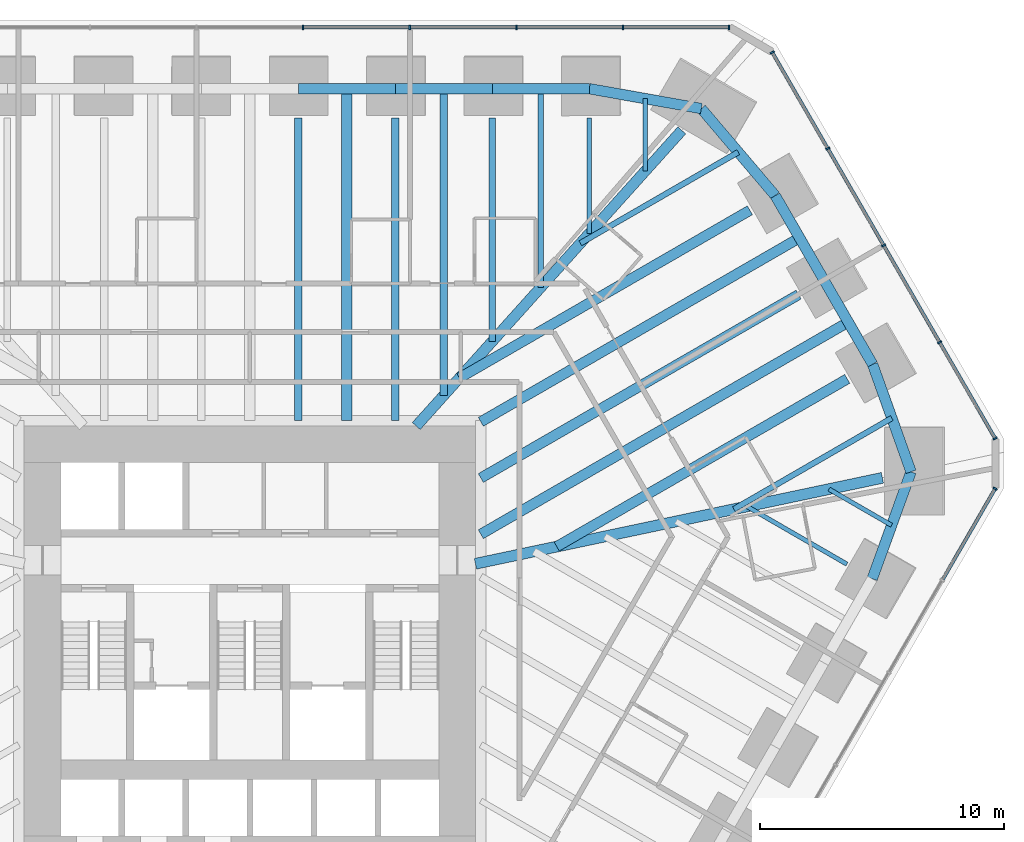
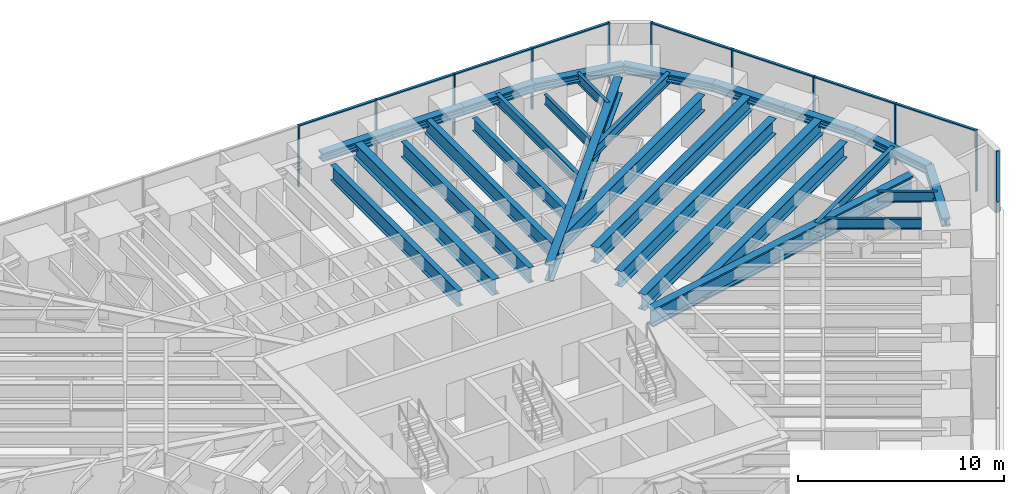
# One storey, part 9 of 17: 28 beams, 20 members, 3 elements without a shape of their own.
"""IFC4 building model written with IfcOpenShell, lengths in metres."""

from ifc_helpers import new_model, si_unit, direction, frame, origin, origin_2d, place, context, subcontext, project, spatial, rectangle, i_section, extrude, material, material_profile, profile_set, type_object, element, aggregate, save


model = new_model("IFC4")

# Units and contexts
model_context = context("Model", 3, precision=1e-05, world=origin(), true_north=direction((0.0, 1.0)))
body_context = subcontext(model_context, "Body", "Model", "MODEL_VIEW")
ifc_project = project(units=[si_unit("LENGTHUNIT", "METRE"), si_unit("AREAUNIT", "SQUARE_METRE"), si_unit("VOLUMEUNIT", "CUBIC_METRE"), si_unit("PLANEANGLEUNIT", "RADIAN"), si_unit("MASSUNIT", "GRAM", prefix="KILO")], contexts=[model_context])

# Site, building, storey
site_placement = place(None, origin())
site = spatial("IfcSite", under=ifc_project, at=site_placement, CompositionType="ELEMENT")
building_placement = place(site_placement, origin())
building = spatial("IfcBuilding", under=site, at=building_placement, Name="Sandreach Pilgrim Tower", CompositionType="ELEMENT")
storey_placement = place(building_placement, frame((0.0, 0.0, 87.60009765625)))
storey = spatial("IfcBuildingStorey", under=building, at=storey_placement, Name="L21", CompositionType="ELEMENT", Elevation=87.60009765625)

# Beams
ifc_material_1 = material(Name="Steel ASTM A913 Grade 65", Category="steel")
ifc_material_profile_1 = material_profile(ifc_material_1, i_section(OverallWidth=0.431884765625, OverallDepth=0.497802734375, WebThickness=0.0556640625, FlangeThickness=0.0888671875, at=origin_2d()), Name="W14X500")
ifc_profile_set_1 = profile_set([ifc_material_profile_1], Name="Steel ASTM A913 Grade 65")
beam_type_1 = type_object("IfcBeamType", Name="Belt truss chord W14X500", PredefinedType="BEAM", material=ifc_profile_set_1)
for number, where, z_axis, x_axis, name in (
    (1, (1.98828125, 21.43212890625, 3.390869140625), (1.0, 0.0, 0.0), (0.0, 1.0, 0.0), "BM L21 BTB05"),
    (2, (5.965087890625, 21.43212890625, 3.390869140625), (1.0, 0.0, 0.0), (0.0, 1.0, 0.0), "BM L21 BTB06"),
    (3, (9.94189453125, 21.43212890625, 3.390869140625), (1.0, 0.0, 0.0), (0.0, 1.0, 0.0), "BM L21 BTB07"),
):
    element("IfcBeam", number, at=place(storey_placement, frame(where, z_axis=z_axis, x_axis=x_axis)), inside=storey, type_object=beam_type_1, Name=name, PredefinedType="BEAM", context=body_context, shape_type="SweptSolid", body=[
        extrude(i_section(OverallWidth=0.431884765625, OverallDepth=0.497802734375, WebThickness=0.0556640625, FlangeThickness=0.0888671875, at=origin_2d()), origin(), (0.0, 0.0, 1.0), 3.976806640625),
    ])
beam_1_placement = place(storey_placement, frame((13.918701171875, 21.43212890625, 3.390869140625), z_axis=(0.984588549143, -0.174886788798, 0.0), x_axis=(0.174886788798, 0.984588549143, 0.0)))
element("IfcBeam", 4, at=beam_1_placement, inside=storey, type_object=beam_type_1, Name="BM L21 BTB08", PredefinedType="BEAM", context=body_context, shape_type="SweptSolid", body=[
    extrude(i_section(OverallWidth=0.431884765625, OverallDepth=0.497802734375, WebThickness=0.0556640625, FlangeThickness=0.0888671875, at=origin_2d()), origin(), (0.0, 0.0, 1.0), 4.66552734375),
])
beam_2_placement = place(storey_placement, frame((18.51220703125, 20.6162109375, 3.390869140625), z_axis=(0.647254831057, -0.762273693415, 0.0), x_axis=(0.762273693415, 0.647254831057, 0.0)))
element("IfcBeam", 5, at=beam_2_placement, inside=storey, type_object=beam_type_1, Name="BM L21 BTB09", PredefinedType="BEAM", context=body_context, shape_type="SweptSolid", body=[
    extrude(i_section(OverallWidth=0.431884765625, OverallDepth=0.497802734375, WebThickness=0.0556640625, FlangeThickness=0.0888671875, at=origin_2d()), origin(), (0.0, 0.0, 1.0), 4.682373046875),
])
for number, where, z_axis, x_axis, name in (
    (6, (21.54296875, 17.046875, 3.390869140625), (0.500013648868, -0.866017523464, 0.0), (0.866017523464, 0.500013648868, 0.0), "BM L21 BTB10"),
    (7, (23.538818359375, 13.590087890625, 3.390869140625), (0.500013648868, -0.866017523464, 0.0), (0.866017523464, 0.500013648868, 0.0), "BM L21 BTB11"),
):
    element("IfcBeam", number, at=place(storey_placement, frame(where, z_axis=z_axis, x_axis=x_axis)), inside=storey, type_object=beam_type_1, Name=name, PredefinedType="BEAM", context=body_context, shape_type="SweptSolid", body=[
        extrude(i_section(OverallWidth=0.431884765625, OverallDepth=0.497802734375, WebThickness=0.0556640625, FlangeThickness=0.0888671875, at=origin_2d()), origin(), (0.0, 0.0, 1.0), 3.99169921875),
    ])
beam_3_placement = place(storey_placement, frame((25.53466796875, 10.13330078125, 3.390869140625), z_axis=(0.336504840562, -0.941681736192, 0.0), x_axis=(0.941681736192, 0.336504840562, 0.0)))
element("IfcBeam", 8, at=beam_3_placement, inside=storey, type_object=beam_type_1, Name="BM L21 BTB12", PredefinedType="BEAM", context=body_context, shape_type="SweptSolid", body=[
    extrude(i_section(OverallWidth=0.431884765625, OverallDepth=0.497802734375, WebThickness=0.0556640625, FlangeThickness=0.0888671875, at=origin_2d()), origin(), (0.0, 0.0, 1.0), 4.6826171875),
])
beam_4_placement = place(storey_placement, frame((27.1103515625, 5.723876953125, 3.390869140625), z_axis=(-0.340831122341, -0.940124537518, 0.0), x_axis=(0.940124537518, -0.340831122341, 0.0)))
element("IfcBeam", 9, at=beam_4_placement, inside=storey, type_object=beam_type_1, Name="BM L21 BTB13", PredefinedType="BEAM", context=body_context, shape_type="SweptSolid", body=[
    extrude(i_section(OverallWidth=0.431884765625, OverallDepth=0.497802734375, WebThickness=0.0556640625, FlangeThickness=0.0888671875, at=origin_2d()), origin(), (0.0, 0.0, 1.0), 4.665283203125),
])

# Curtain wall, members
ifc_material_2 = material(Name="Aluminium framed curtain wall", Category="aluminium")
curtain_wall_type = type_object("IfcCurtainWallType", Name="Hostel tower curtain wall", PredefinedType="NOTDEFINED", material=ifc_material_2)
curtain_wall_1_placement = place(storey_placement, origin())
curtain_wall_1 = element("IfcCurtainWall", 10, at=curtain_wall_1_placement, inside=storey, type_object=curtain_wall_type, Name="CW-1 L21 N", PredefinedType="NOTDEFINED")
ifc_material_3 = material(Name="Aluminium extrusion", Category="aluminium")
ifc_material_profile_2 = material_profile(ifc_material_3, rectangle(XDim=0.06494140625, YDim=0.179931640625, at=origin_2d()), Name="CW-1M 65X180")
ifc_profile_set_2 = profile_set([ifc_material_profile_2], Name="Aluminium extrusion")
member_type_1 = type_object("IfcMemberType", Name="CW-1 mullion", PredefinedType="MULLION", material=ifc_profile_set_2)
member_1_placement = place(storey_placement, frame((2.185791015625, 23.94873046875, 0.0), z_axis=(0.0, 0.0, 1.0), x_axis=(1.0, 0.0, 0.0)))
member_1 = element("IfcMember", 11, at=member_1_placement, type_object=member_type_1, Name="CW-1 mullion 6", PredefinedType="MULLION", context=body_context, shape_type="SweptSolid", body=[
    extrude(rectangle(XDim=0.06494140625, YDim=0.179931640625, at=origin_2d()), origin(), (0.0, 0.0, 1.0), 3.639892578125),
])
member_2_placement = place(storey_placement, frame((6.557373046875, 23.94873046875, 0.0), z_axis=(0.0, 0.0, 1.0), x_axis=(1.0, 0.0, 0.0)))
member_2 = element("IfcMember", 12, at=member_2_placement, type_object=member_type_1, Name="CW-1 mullion 7", PredefinedType="MULLION", context=body_context, shape_type="SweptSolid", body=[
    extrude(rectangle(XDim=0.06494140625, YDim=0.179931640625, at=origin_2d()), origin(), (0.0, 0.0, 1.0), 3.639892578125),
])
member_3_placement = place(storey_placement, frame((10.928955078125, 23.94873046875, 0.0), z_axis=(0.0, 0.0, 1.0), x_axis=(1.0, 0.0, 0.0)))
member_3 = element("IfcMember", 13, at=member_3_placement, type_object=member_type_1, Name="CW-1 mullion 8", PredefinedType="MULLION", context=body_context, shape_type="SweptSolid", body=[
    extrude(rectangle(XDim=0.06494140625, YDim=0.179931640625, at=origin_2d()), origin(), (0.0, 0.0, 1.0), 3.639892578125),
])
member_4_placement = place(storey_placement, frame((15.300537109375, 23.94873046875, 0.0), z_axis=(0.0, 0.0, 1.0), x_axis=(1.0, 0.0, 0.0)))
member_4 = element("IfcMember", 14, at=member_4_placement, type_object=member_type_1, Name="CW-1 mullion 9", PredefinedType="MULLION", context=body_context, shape_type="SweptSolid", body=[
    extrude(rectangle(XDim=0.06494140625, YDim=0.179931640625, at=origin_2d()), origin(), (0.0, 0.0, 1.0), 3.639892578125),
])
member_5_placement = place(storey_placement, frame((19.6396484375, 23.94873046875, 0.0), z_axis=(0.0, 0.0, 1.0), x_axis=(1.0, 0.0, 0.0)))
member_5 = element("IfcMember", 15, at=member_5_placement, type_object=member_type_1, Name="CW-1 mullion 10", PredefinedType="MULLION", context=body_context, shape_type="SweptSolid", body=[
    extrude(rectangle(XDim=0.06494140625, YDim=0.179931640625, at=origin_2d()), origin(), (0.0, 0.0, 1.0), 3.639892578125),
])

curtain_wall_2_placement = place(storey_placement, origin())
curtain_wall_2 = element("IfcCurtainWall", 16, at=curtain_wall_2_placement, inside=storey, type_object=curtain_wall_type, Name="CW-1 L21 NE", PredefinedType="NOTDEFINED")
member_6_placement = place(storey_placement, frame((21.42041015625, 22.920654296875, 0.0), z_axis=(0.0, 0.0, 1.0), x_axis=(0.5, -0.866025403784, 0.0)))
member_6 = element("IfcMember", 17, at=member_6_placement, type_object=member_type_1, Name="CW-1 mullion 1", PredefinedType="MULLION", context=body_context, shape_type="SweptSolid", body=[
    extrude(rectangle(XDim=0.06494140625, YDim=0.179931640625, at=origin_2d()), origin(), (0.0, 0.0, 1.0), 3.639892578125),
])
member_7_placement = place(storey_placement, frame((23.697265625, 18.97705078125, 0.0), z_axis=(0.0, 0.0, 1.0), x_axis=(0.5, -0.866025403784, 0.0)))
member_7 = element("IfcMember", 18, at=member_7_placement, type_object=member_type_1, Name="CW-1 mullion 2", PredefinedType="MULLION", context=body_context, shape_type="SweptSolid", body=[
    extrude(rectangle(XDim=0.06494140625, YDim=0.179931640625, at=origin_2d()), origin(), (0.0, 0.0, 1.0), 3.639892578125),
])
member_8_placement = place(storey_placement, frame((25.990234375, 15.00537109375, 0.0), z_axis=(0.0, 0.0, 1.0), x_axis=(0.5, -0.866025403784, 0.0)))
member_8 = element("IfcMember", 19, at=member_8_placement, type_object=member_type_1, Name="CW-1 mullion 3", PredefinedType="MULLION", context=body_context, shape_type="SweptSolid", body=[
    extrude(rectangle(XDim=0.06494140625, YDim=0.179931640625, at=origin_2d()), origin(), (0.0, 0.0, 1.0), 3.639892578125),
])
member_9_placement = place(storey_placement, frame((28.283203125, 11.03369140625, 0.0), z_axis=(0.0, 0.0, 1.0), x_axis=(0.5, -0.866025403784, 0.0)))
member_9 = element("IfcMember", 20, at=member_9_placement, type_object=member_type_1, Name="CW-1 mullion 4", PredefinedType="MULLION", context=body_context, shape_type="SweptSolid", body=[
    extrude(rectangle(XDim=0.06494140625, YDim=0.179931640625, at=origin_2d()), origin(), (0.0, 0.0, 1.0), 3.639892578125),
])
member_10_placement = place(storey_placement, frame((30.56005859375, 7.09033203125, 0.0), z_axis=(0.0, 0.0, 1.0), x_axis=(0.5, -0.866025403784, 0.0)))
member_10 = element("IfcMember", 21, at=member_10_placement, type_object=member_type_1, Name="CW-1 mullion 5", PredefinedType="MULLION", context=body_context, shape_type="SweptSolid", body=[
    extrude(rectangle(XDim=0.06494140625, YDim=0.179931640625, at=origin_2d()), origin(), (0.0, 0.0, 1.0), 3.639892578125),
])

# Curtain wall, member
curtain_wall_3_placement = place(storey_placement, origin())
curtain_wall_3 = element("IfcCurtainWall", 22, at=curtain_wall_3_placement, inside=storey, type_object=curtain_wall_type, Name="CW-1 L21 SE", PredefinedType="NOTDEFINED")
member_11_placement = place(storey_placement, frame((30.56005859375, 5.033935546875, 0.0), z_axis=(0.0, 0.0, 1.0), x_axis=(-0.5, -0.866025403784, 0.0)))
member_11 = element("IfcMember", 23, at=member_11_placement, type_object=member_type_1, Name="CW-1 mullion 1", PredefinedType="MULLION", context=body_context, shape_type="SweptSolid", body=[
    extrude(rectangle(XDim=0.06494140625, YDim=0.179931640625, at=origin_2d()), origin(), (0.0, 0.0, 1.0), 3.639892578125),
])

# Member
ifc_material_4 = material(Name="Aluminium extrusion", Category="aluminium")
ifc_material_profile_3 = material_profile(ifc_material_4, rectangle(XDim=0.139892578125, YDim=0.070068359375, at=origin_2d()), Name="CW-1T 140X70")
ifc_profile_set_3 = profile_set([ifc_material_profile_3], Name="Aluminium extrusion")
member_type_2 = type_object("IfcMemberType", Name="CW-1 transom", PredefinedType="USERDEFINED", material=ifc_profile_set_3)
member_12_placement = place(storey_placement, frame((2.21826171875, 23.94873046875, 3.60498046875), z_axis=(1.0, 0.0, 0.0), x_axis=(0.0, 1.0, 0.0)))
member_12 = element("IfcMember", 24, at=member_12_placement, type_object=member_type_2, Name="CW-1 head transom 6", ObjectType="TRANSOM", PredefinedType="USERDEFINED", context=body_context, shape_type="SweptSolid", body=[
    extrude(rectangle(XDim=0.139892578125, YDim=0.070068359375, at=origin_2d()), origin(), (0.0, 0.0, 1.0), 4.306640625),
])

member_13_placement = place(storey_placement, frame((6.58984375, 23.94873046875, 3.60498046875), z_axis=(1.0, 0.0, 0.0), x_axis=(0.0, 1.0, 0.0)))
member_13 = element("IfcMember", 25, at=member_13_placement, type_object=member_type_2, Name="CW-1 head transom 7", ObjectType="TRANSOM", PredefinedType="USERDEFINED", context=body_context, shape_type="SweptSolid", body=[
    extrude(rectangle(XDim=0.139892578125, YDim=0.070068359375, at=origin_2d()), origin(), (0.0, 0.0, 1.0), 4.306640625),
])

member_14_placement = place(storey_placement, frame((10.96142578125, 23.94873046875, 3.60498046875), z_axis=(1.0, 0.0, 0.0), x_axis=(0.0, 1.0, 0.0)))
member_14 = element("IfcMember", 26, at=member_14_placement, type_object=member_type_2, Name="CW-1 head transom 8", ObjectType="TRANSOM", PredefinedType="USERDEFINED", context=body_context, shape_type="SweptSolid", body=[
    extrude(rectangle(XDim=0.139892578125, YDim=0.070068359375, at=origin_2d()), origin(), (0.0, 0.0, 1.0), 4.306640625),
])

member_15_placement = place(storey_placement, frame((15.3330078125, 23.94873046875, 3.60498046875), z_axis=(1.0, 0.0, 0.0), x_axis=(0.0, 1.0, 0.0)))
member_15 = element("IfcMember", 27, at=member_15_placement, type_object=member_type_2, Name="CW-1 head transom 9", ObjectType="TRANSOM", PredefinedType="USERDEFINED", context=body_context, shape_type="SweptSolid", body=[
    extrude(rectangle(XDim=0.139892578125, YDim=0.070068359375, at=origin_2d()), origin(), (0.0, 0.0, 1.0), 4.274169921875),
])

aggregate(curtain_wall_1, [member_1, member_2, member_3, member_4, member_5, member_12, member_13, member_14, member_15])

member_16_placement = place(storey_placement, frame((21.4365234375, 22.892333984375, 3.60498046875), z_axis=(0.500017500808, -0.866015299452, 0.0), x_axis=(0.866015299452, 0.500017500808, 0.0)))
member_16 = element("IfcMember", 28, at=member_16_placement, type_object=member_type_2, Name="CW-1 head transom 1", ObjectType="TRANSOM", PredefinedType="USERDEFINED", context=body_context, shape_type="SweptSolid", body=[
    extrude(rectangle(XDim=0.139892578125, YDim=0.070068359375, at=origin_2d()), origin(), (0.0, 0.0, 1.0), 4.488525390625),
])

member_17_placement = place(storey_placement, frame((23.71337890625, 18.948974609375, 3.60498046875), z_axis=(0.500001366228, -0.866024614991, 0.0), x_axis=(0.866024614991, 0.500001366228, 0.0)))
member_17 = element("IfcMember", 29, at=member_17_placement, type_object=member_type_2, Name="CW-1 head transom 2", ObjectType="TRANSOM", PredefinedType="USERDEFINED", context=body_context, shape_type="SweptSolid", body=[
    extrude(rectangle(XDim=0.139892578125, YDim=0.070068359375, at=origin_2d()), origin(), (0.0, 0.0, 1.0), 4.52099609375),
])

member_18_placement = place(storey_placement, frame((26.00634765625, 14.977294921875, 3.60498046875), z_axis=(0.500001366228, -0.866024614991, 0.0), x_axis=(0.866024614991, 0.500001366228, 0.0)))
member_18 = element("IfcMember", 30, at=member_18_placement, type_object=member_type_2, Name="CW-1 head transom 3", ObjectType="TRANSOM", PredefinedType="USERDEFINED", context=body_context, shape_type="SweptSolid", body=[
    extrude(rectangle(XDim=0.139892578125, YDim=0.070068359375, at=origin_2d()), origin(), (0.0, 0.0, 1.0), 4.52099609375),
])

member_19_placement = place(storey_placement, frame((28.299560546875, 11.005615234375, 3.60498046875), z_axis=(0.499976706761, -0.866038851724, 0.0), x_axis=(0.866038851724, 0.499976706761, 0.0)))
member_19 = element("IfcMember", 31, at=member_19_placement, type_object=member_type_2, Name="CW-1 head transom 4", ObjectType="TRANSOM", PredefinedType="USERDEFINED", context=body_context, shape_type="SweptSolid", body=[
    extrude(rectangle(XDim=0.139892578125, YDim=0.070068359375, at=origin_2d()), origin(), (0.0, 0.0, 1.0), 4.488525390625),
])

aggregate(curtain_wall_2, [member_6, member_7, member_8, member_9, member_10, member_16, member_17, member_18, member_19])

member_20_placement = place(storey_placement, frame((30.543701171875, 5.005859375, 3.60498046875), z_axis=(-0.499991113271, -0.866030534479, 0.0), x_axis=(0.866030534479, -0.499991113271, 0.0)))
member_20 = element("IfcMember", 32, at=member_20_placement, type_object=member_type_2, Name="CW-1 head transom 1", ObjectType="TRANSOM", PredefinedType="USERDEFINED", context=body_context, shape_type="SweptSolid", body=[
    extrude(rectangle(XDim=0.139892578125, YDim=0.070068359375, at=origin_2d()), origin(), (0.0, 0.0, 1.0), 4.27392578125),
])

aggregate(curtain_wall_3, [member_11, member_20])

# Beams
ifc_material_5 = material(Name="Steel ASTM A992 Grade 50", Category="steel")
ifc_material_profile_4 = material_profile(ifc_material_5, i_section(OverallWidth=0.434326171875, OverallDepth=0.998291015625, WebThickness=0.0380859375, FlangeThickness=0.068115234375, at=origin_2d()), Name="W36X487")
ifc_profile_set_4 = profile_set([ifc_material_profile_4], Name="Steel ASTM A992 Grade 50")
beam_type_2 = type_object("IfcBeamType", Name="Corner girder W36X487", PredefinedType="BEAM", material=ifc_profile_set_4)
beam_5_placement = place(storey_placement, frame((17.71044921875, 19.723388671875, 3.140869140625), z_axis=(-0.668125712195, -0.744048407501, 0.0), x_axis=(0.744048407501, -0.668125712195, 0.0)))
element("IfcBeam", 33, at=beam_5_placement, inside=storey, type_object=beam_type_2, Name="BM L21 CG09", PredefinedType="BEAM", context=body_context, shape_type="SweptSolid", body=[
    extrude(i_section(OverallWidth=0.434326171875, OverallDepth=0.998291015625, WebThickness=0.0380859375, FlangeThickness=0.068115234375, at=origin_2d()), origin(), (0.0, 0.0, 1.0), 16.293701171875),
])
ifc_material_6 = material(Name="Steel ASTM A992 Grade 50", Category="steel")
ifc_material_profile_5 = material_profile(ifc_material_6, i_section(OverallWidth=0.447021484375, OverallDepth=1.0439453125, WebThickness=0.050048828125, FlangeThickness=0.08984375, at=origin_2d()), Name="W36X652")
ifc_profile_set_5 = profile_set([ifc_material_profile_5], Name="Steel ASTM A992 Grade 50")
beam_type_3 = type_object("IfcBeamType", Name="Corner girder W36X652", PredefinedType="BEAM", material=ifc_profile_set_5)
beam_6_placement = place(storey_placement, frame((25.936279296875, 5.47607421875, 3.117919921875), z_axis=(-0.978427950772, -0.206588347076, 0.0), x_axis=(0.206588347076, -0.978427950772, 0.0)))
element("IfcBeam", 34, at=beam_6_placement, inside=storey, type_object=beam_type_3, Name="BM L21 CG13", PredefinedType="BEAM", context=body_context, shape_type="SweptSolid", body=[
    extrude(i_section(OverallWidth=0.447021484375, OverallDepth=1.0439453125, WebThickness=0.050048828125, FlangeThickness=0.08984375, at=origin_2d()), origin(), (0.0, 0.0, 1.0), 17.05419921875),
])
ifc_material_7 = material(Name="Steel ASTM A992 Grade 50", Category="steel")
ifc_material_profile_6 = material_profile(ifc_material_7, i_section(OverallWidth=0.1787109375, OverallDepth=0.60205078125, WebThickness=0.010986328125, FlangeThickness=0.014892578125, at=origin_2d()), Name="W24X62")
ifc_profile_set_6 = profile_set([ifc_material_profile_6], Name="Steel ASTM A992 Grade 50")
beam_type_4 = type_object("IfcBeamType", Name="Floor beam W24X62", PredefinedType="BEAM", material=ifc_profile_set_6)
beam_7_placement = place(storey_placement, frame((13.918701171875, 20.232177734375, 3.3388671875), z_axis=(0.0, -1.0, 0.0), x_axis=(1.0, 0.0, 0.0)))
element("IfcBeam", 35, at=beam_7_placement, inside=storey, type_object=beam_type_4, Name="BM L21 F08", PredefinedType="BEAM", context=body_context, shape_type="SweptSolid", body=[
    extrude(i_section(OverallWidth=0.1787109375, OverallDepth=0.60205078125, WebThickness=0.010986328125, FlangeThickness=0.014892578125, at=origin_2d()), origin(), (0.0, 0.0, 1.0), 4.7314453125),
])
beam_8_placement = place(storey_placement, frame((24.48095703125, 1.937744140625, 3.3388671875), z_axis=(-0.866008577732, 0.500029142445, 0.0), x_axis=(-0.500029142445, -0.866008577732, 0.0)))
element("IfcBeam", 36, at=beam_8_placement, inside=storey, type_object=beam_type_4, Name="BM L21 F14", PredefinedType="BEAM", context=body_context, shape_type="SweptSolid", body=[
    extrude(i_section(OverallWidth=0.1787109375, OverallDepth=0.60205078125, WebThickness=0.010986328125, FlangeThickness=0.014892578125, at=origin_2d()), origin(), (0.0, 0.0, 1.0), 4.731689453125),
])
beam_9_placement = place(storey_placement, frame((16.21533203125, 21.024169921875, 3.3388671875), z_axis=(0.0, -1.0, 0.0), x_axis=(1.0, 0.0, 0.0)))
element("IfcBeam", 37, at=beam_9_placement, inside=storey, type_object=beam_type_4, Name="BM L21 FM08", PredefinedType="BEAM", context=body_context, shape_type="SweptSolid", body=[
    extrude(i_section(OverallWidth=0.1787109375, OverallDepth=0.60205078125, WebThickness=0.010986328125, FlangeThickness=0.014892578125, at=origin_2d()), origin(), (0.0, 0.0, 1.0), 2.965576171875),
])
beam_10_placement = place(storey_placement, frame((26.315185546875, 3.53076171875, 3.3388671875), z_axis=(-0.866015594979, 0.500016988964, 0.0), x_axis=(-0.500016988964, -0.866015594979, 0.0)))
element("IfcBeam", 38, at=beam_10_placement, inside=storey, type_object=beam_type_4, Name="BM L21 FM13", PredefinedType="BEAM", context=body_context, shape_type="SweptSolid", body=[
    extrude(i_section(OverallWidth=0.1787109375, OverallDepth=0.60205078125, WebThickness=0.010986328125, FlangeThickness=0.014892578125, at=origin_2d()), origin(), (0.0, 0.0, 1.0), 2.9658203125),
])
ifc_material_8 = material(Name="Steel ASTM A992 Grade 50", Category="steel")
ifc_material_profile_7 = material_profile(ifc_material_8, i_section(OverallWidth=0.23046875, OverallDepth=0.6171875, WebThickness=0.01318359375, FlangeThickness=0.022216796875, at=origin_2d()), Name="W24X94")
ifc_profile_set_7 = profile_set([ifc_material_profile_7], Name="Steel ASTM A992 Grade 50")
beam_type_5 = type_object("IfcBeamType", Name="Floor beam W24X94", PredefinedType="BEAM", material=ifc_profile_set_7)
beam_11_placement = place(storey_placement, frame((11.930419921875, 21.43212890625, 3.331298828125), z_axis=(0.0, -1.0, 0.0), x_axis=(1.0, 0.0, 0.0)))
element("IfcBeam", 39, at=beam_11_placement, inside=storey, type_object=beam_type_5, Name="BM L21 FM07", PredefinedType="BEAM", context=body_context, shape_type="SweptSolid", body=[
    extrude(i_section(OverallWidth=0.23046875, OverallDepth=0.6171875, WebThickness=0.01318359375, FlangeThickness=0.022216796875, at=origin_2d()), origin(), (0.0, 0.0, 1.0), 8.145751953125),
])
for number, where, z_axis, x_axis, name in (
    (40, (20.027587890625, 18.83154296875, 3.331298828125), (-0.866036034616, -0.499981586408, 0.0), (0.499981586408, -0.866036034616, 0.0), "BM L21 FM09"),
    (41, (26.322509765625, 7.928466796875, 3.331298828125), (-0.866036034616, -0.499981586408, 0.0), (0.499981586408, -0.866036034616, 0.0), "BM L21 FM12"),
):
    element("IfcBeam", number, at=place(storey_placement, frame(where, z_axis=z_axis, x_axis=x_axis)), inside=storey, type_object=beam_type_5, Name=name, PredefinedType="BEAM", context=body_context, shape_type="SweptSolid", body=[
        extrude(i_section(OverallWidth=0.23046875, OverallDepth=0.6171875, WebThickness=0.01318359375, FlangeThickness=0.022216796875, at=origin_2d()), origin(), (0.0, 0.0, 1.0), 7.475830078125),
    ])
ifc_material_9 = material(Name="Steel ASTM A992 Grade 50", Category="steel")
ifc_material_profile_8 = material_profile(ifc_material_9, i_section(OverallWidth=0.2666015625, OverallDepth=0.761962890625, WebThickness=0.014404296875, FlangeThickness=0.021484375, at=origin_2d()), Name="W30X116")
ifc_profile_set_8 = profile_set([ifc_material_profile_8], Name="Steel ASTM A992 Grade 50")
beam_type_6 = type_object("IfcBeamType", Name="Floor beam W30X116", PredefinedType="BEAM", material=ifc_profile_set_8)
beam_12_placement = place(storey_placement, frame((9.94189453125, 20.232177734375, 3.2587890625), z_axis=(0.0, -1.0, 0.0), x_axis=(1.0, 0.0, 0.0)))
element("IfcBeam", 42, at=beam_12_placement, inside=storey, type_object=beam_type_6, Name="BM L21 F07", PredefinedType="BEAM", context=body_context, shape_type="SweptSolid", body=[
    extrude(i_section(OverallWidth=0.2666015625, OverallDepth=0.761962890625, WebThickness=0.014404296875, FlangeThickness=0.021484375, at=origin_2d()), origin(), (0.0, 0.0, 1.0), 9.16015625),
])
ifc_material_10 = material(Name="Steel ASTM A992 Grade 50", Category="steel")
ifc_material_profile_9 = material_profile(ifc_material_10, i_section(OverallWidth=0.3046875, OverallDepth=0.914306640625, WebThickness=0.0166015625, FlangeThickness=0.02587890625, at=origin_2d()), Name="W36X160")
ifc_profile_set_9 = profile_set([ifc_material_profile_9], Name="Steel ASTM A992 Grade 50")
beam_type_7 = type_object("IfcBeamType", Name="Floor beam W36X160", PredefinedType="BEAM", material=ifc_profile_set_9)
for number, where, z_axis, x_axis, name in (
    (43, (1.98828125, 20.232177734375, 3.1826171875), (0.0, -1.0, 0.0), (1.0, 0.0, 0.0), "BM L21 F05"),
    (44, (5.965087890625, 20.232177734375, 3.1826171875), (0.0, -1.0, 0.0), (1.0, 0.0, 0.0), "BM L21 F06"),
):
    element("IfcBeam", number, at=place(storey_placement, frame(where, z_axis=z_axis, x_axis=x_axis)), inside=storey, type_object=beam_type_7, Name=name, PredefinedType="BEAM", context=body_context, shape_type="SweptSolid", body=[
        extrude(i_section(OverallWidth=0.3046875, OverallDepth=0.914306640625, WebThickness=0.0166015625, FlangeThickness=0.02587890625, at=origin_2d()), origin(), (0.0, 0.0, 1.0), 12.41015625),
    ])
beam_13_placement = place(storey_placement, frame((7.95361328125, 21.43212890625, 3.1826171875), z_axis=(0.0, -1.0, 0.0), x_axis=(1.0, 0.0, 0.0)))
element("IfcBeam", 45, at=beam_13_placement, inside=storey, type_object=beam_type_7, Name="BM L21 FM06", PredefinedType="BEAM", context=body_context, shape_type="SweptSolid", body=[
    extrude(i_section(OverallWidth=0.3046875, OverallDepth=0.914306640625, WebThickness=0.0166015625, FlangeThickness=0.02587890625, at=origin_2d()), origin(), (0.0, 0.0, 1.0), 12.57470703125),
])
ifc_material_11 = material(Name="Steel ASTM A992 Grade 50", Category="steel")
ifc_material_profile_10 = material_profile(ifc_material_11, i_section(OverallWidth=0.419189453125, OverallDepth=0.927001953125, WebThickness=0.019287109375, FlangeThickness=0.031982421875, at=origin_2d()), Name="W36X231")
ifc_profile_set_10 = profile_set([ifc_material_profile_10], Name="Steel ASTM A992 Grade 50")
beam_type_8 = type_object("IfcBeamType", Name="Floor beam W36X231", PredefinedType="BEAM", material=ifc_profile_set_10)
beam_14_placement = place(storey_placement, frame((20.503662109375, 16.447021484375, 3.17626953125), z_axis=(-0.866023278067, -0.500003681833, 0.0), x_axis=(0.500003681833, -0.866023278067, 0.0)))
element("IfcBeam", 46, at=beam_14_placement, inside=storey, type_object=beam_type_8, Name="BM L21 F10", PredefinedType="BEAM", context=body_context, shape_type="SweptSolid", body=[
    extrude(i_section(OverallWidth=0.419189453125, OverallDepth=0.927001953125, WebThickness=0.019287109375, FlangeThickness=0.031982421875, at=origin_2d()), origin(), (0.0, 0.0, 1.0), 13.751953125),
])
beam_15_placement = place(storey_placement, frame((22.49951171875, 12.990234375, 3.17626953125), z_axis=(-0.866021259968, -0.500007177232, 0.0), x_axis=(0.500007177232, -0.866021259968, 0.0)))
element("IfcBeam", 47, at=beam_15_placement, inside=storey, type_object=beam_type_8, Name="BM L21 F11", PredefinedType="BEAM", context=body_context, shape_type="SweptSolid", body=[
    extrude(i_section(OverallWidth=0.419189453125, OverallDepth=0.927001953125, WebThickness=0.019287109375, FlangeThickness=0.031982421875, at=origin_2d()), origin(), (0.0, 0.0, 1.0), 15.042724609375),
])
beam_16_placement = place(storey_placement, frame((24.495361328125, 9.533203125, 3.17626953125), z_axis=(-0.866023278067, -0.500003681833, 0.0), x_axis=(0.500003681833, -0.866023278067, 0.0)))
element("IfcBeam", 48, at=beam_16_placement, inside=storey, type_object=beam_type_8, Name="BM L21 F12", PredefinedType="BEAM", context=body_context, shape_type="SweptSolid", body=[
    extrude(i_section(OverallWidth=0.419189453125, OverallDepth=0.927001953125, WebThickness=0.019287109375, FlangeThickness=0.031982421875, at=origin_2d()), origin(), (0.0, 0.0, 1.0), 13.751953125),
])
beam_17_placement = place(storey_placement, frame((3.976806640625, 21.43212890625, 3.17626953125), z_axis=(0.0, -1.0, 0.0), x_axis=(1.0, 0.0, 0.0)))
element("IfcBeam", 49, at=beam_17_placement, inside=storey, type_object=beam_type_8, Name="BM L21 FM05", PredefinedType="BEAM", context=body_context, shape_type="SweptSolid", body=[
    extrude(i_section(OverallWidth=0.419189453125, OverallDepth=0.927001953125, WebThickness=0.019287109375, FlangeThickness=0.031982421875, at=origin_2d()), origin(), (0.0, 0.0, 1.0), 13.610107421875),
])
beam_18_placement = place(storey_placement, frame((22.540771484375, 15.318603515625, 3.17626953125), z_axis=(-0.866018276026, -0.500012345436, 0.0), x_axis=(0.500012345436, -0.866018276026, 0.0)))
element("IfcBeam", 50, at=beam_18_placement, inside=storey, type_object=beam_type_8, Name="BM L21 FM10", PredefinedType="BEAM", context=body_context, shape_type="SweptSolid", body=[
    extrude(i_section(OverallWidth=0.419189453125, OverallDepth=0.927001953125, WebThickness=0.019287109375, FlangeThickness=0.031982421875, at=origin_2d()), origin(), (0.0, 0.0, 1.0), 15.09033203125),
])
beam_19_placement = place(storey_placement, frame((24.53662109375, 11.861572265625, 3.17626953125), z_axis=(-0.86602431599, -0.50000188411, 0.0), x_axis=(0.50000188411, -0.86602431599, 0.0)))
element("IfcBeam", 51, at=beam_19_placement, inside=storey, type_object=beam_type_8, Name="BM L21 FM11", PredefinedType="BEAM", context=body_context, shape_type="SweptSolid", body=[
    extrude(i_section(OverallWidth=0.419189453125, OverallDepth=0.927001953125, WebThickness=0.019287109375, FlangeThickness=0.031982421875, at=origin_2d()), origin(), (0.0, 0.0, 1.0), 17.39501953125),
])

save(model, "model.ifc")
